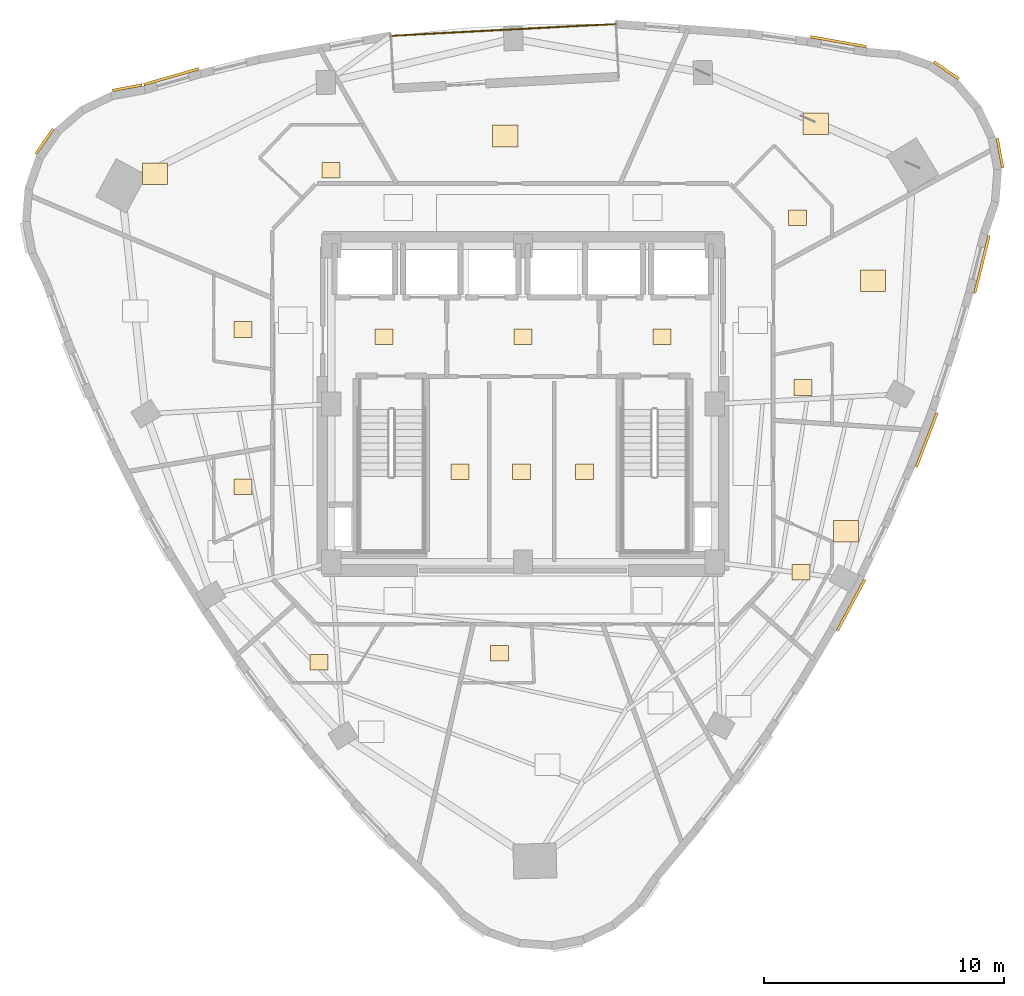
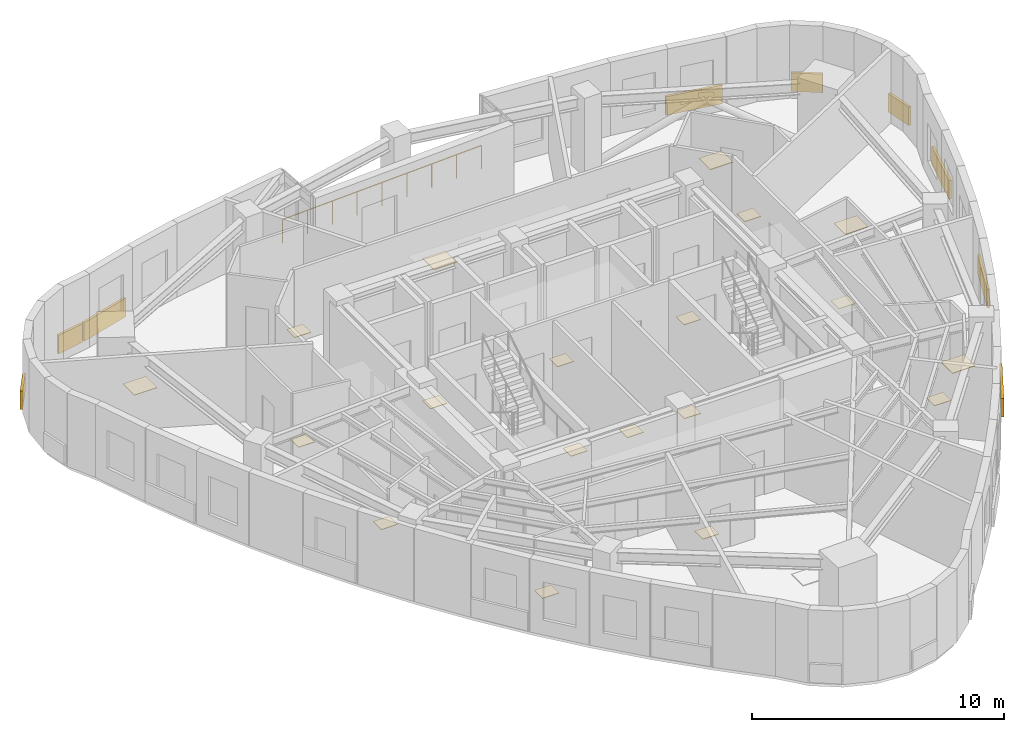
# One storey, part 12 of 12: 28 coverings, 1 railing.
"""IFC4 building model written with IfcOpenShell, lengths in metres."""

from ifc_helpers import new_model, si_unit, direction, frame, origin, origin_2d, place, context, subcontext, project, spatial, rectangle, circle, extrude, material, layer, layer_set, type_object, element, save


model = new_model("IFC4")

# Units and contexts
model_context = context("Model", 3, precision=1e-05, world=origin(), true_north=direction((0.0, 1.0)))
body_context = subcontext(model_context, "Body", "Model", "MODEL_VIEW")
ifc_project = project(units=[si_unit("LENGTHUNIT", "METRE"), si_unit("AREAUNIT", "SQUARE_METRE"), si_unit("VOLUMEUNIT", "CUBIC_METRE"), si_unit("PLANEANGLEUNIT", "RADIAN"), si_unit("MASSUNIT", "GRAM", prefix="KILO")], contexts=[model_context])

# Site, building, storey
site_placement = place(None, origin())
site = spatial("IfcSite", under=ifc_project, at=site_placement, CompositionType="ELEMENT")
building_placement = place(site_placement, origin())
building = spatial("IfcBuilding", under=site, at=building_placement, Name="Ndelora Gate Hotel", CompositionType="ELEMENT")
storey_placement = place(building_placement, frame((0.0, 0.0, 220.75)))
storey = spatial("IfcBuildingStorey", under=building, at=storey_placement, Name="L55", CompositionType="ELEMENT", Elevation=220.75)

# Coverings
ifc_material_1 = material(Name="Terracotta Fired Clay Brick Slip Cladding", Category="masonry")
ifc_layer_1 = layer(ifc_material_1, 0.110107421875)
ifc_layer_set_1 = layer_set([ifc_layer_1], Name="Terracotta Fired Clay Brick Slip Cladding")
covering_type_1 = type_object("IfcCoveringType", Name="COV-CLAD-BRK", PredefinedType="CLADDING", material=ifc_layer_set_1)
for number, where, z_axis, x_axis, name in (
    (1, (-16.508056640625, 13.1962890625, 0.10009765625), (0.0, 0.0, 1.0), (0.983254907564, 0.182235525492, 0.0), "L55 Rounded-Corner Brick Cladding Band 1"),
    (2, (-19.95751953125, 10.9560546875, 0.10009765625), (0.0, 0.0, 1.0), (0.566406236925, 0.824126188622, 0.0), "L55 Rounded-Corner Brick Cladding Band 4"),
):
    element("IfcCovering", number, at=place(storey_placement, frame(where, z_axis=z_axis, x_axis=x_axis)), inside=storey, type_object=covering_type_1, Name=name, PredefinedType="CLADDING", context=body_context, shape_type="SweptSolid", body=[
        extrude(rectangle(XDim=1.257080078125, YDim=0.110107421875, at=origin_2d()), origin(), (0.0, 0.0, 1.0), 0.89990234375),
    ])
covering_1_placement = place(storey_placement, frame((13.688720703125, -8.3916015625, 0.10009765625), z_axis=(0.0, 0.0, 1.0), x_axis=(0.472550764869, 0.881303452065, 0.0)))
element("IfcCovering", 3, at=covering_1_placement, inside=storey, type_object=covering_type_1, Name="L55 Rounded-Corner Brick Cladding Band 34", PredefinedType="CLADDING", context=body_context, shape_type="SweptSolid", body=[
    extrude(rectangle(XDim=2.416015625, YDim=0.110107421875, at=origin_2d()), origin(), (0.0, 0.0, 1.0), 0.89990234375),
])
covering_2_placement = place(storey_placement, frame((16.843994140625, -1.49853515625, 0.10009765625), z_axis=(0.0, 0.0, 1.0), x_axis=(0.358530884609, 0.933517865272, 0.0)))
element("IfcCovering", 4, at=covering_2_placement, inside=storey, type_object=covering_type_1, Name="L55 Rounded-Corner Brick Cladding Band 37", PredefinedType="CLADDING", context=body_context, shape_type="SweptSolid", body=[
    extrude(rectangle(XDim=2.428955078125, YDim=0.110107421875, at=origin_2d()), origin(), (0.0, 0.0, 1.0), 0.89990234375),
])
covering_3_placement = place(storey_placement, frame((19.1494140625, 5.825927734375, 0.10009765625), z_axis=(0.0, 0.0, 1.0), x_axis=(0.2419218956, 0.970295726276, 0.0)))
element("IfcCovering", 5, at=covering_3_placement, inside=storey, type_object=covering_type_1, Name="L55 Rounded-Corner Brick Cladding Band 40", PredefinedType="CLADDING", context=body_context, shape_type="SweptSolid", body=[
    extrude(rectangle(XDim=2.48193359375, YDim=0.110107421875, at=origin_2d()), origin(), (0.0, 0.0, 1.0), 0.89990234375),
])
covering_4_placement = place(storey_placement, frame((19.900634765625, 10.471435546875, 0.10009765625), z_axis=(0.0, 0.0, 1.0), x_axis=(-0.182235525492, 0.983254907564, 0.0)))
element("IfcCovering", 6, at=covering_4_placement, inside=storey, type_object=covering_type_1, Name="L55 Rounded-Corner Brick Cladding Band 43", PredefinedType="CLADDING", context=body_context, shape_type="SweptSolid", body=[
    extrude(rectangle(XDim=1.257080078125, YDim=0.110107421875, at=origin_2d()), origin(), (0.0, 0.0, 1.0), 0.89990234375),
])
covering_5_placement = place(storey_placement, frame((17.660400390625, 13.921142578125, 0.10009765625), z_axis=(0.0, 0.0, 1.0), x_axis=(-0.824126188622, 0.566406236925, 0.0)))
element("IfcCovering", 7, at=covering_5_placement, inside=storey, type_object=covering_type_1, Name="L55 Rounded-Corner Brick Cladding Band 46", PredefinedType="CLADDING", context=body_context, shape_type="SweptSolid", body=[
    extrude(rectangle(XDim=1.258056640625, YDim=0.110107421875, at=origin_2d()), origin(), (0.0, 0.0, 1.0), 0.89990234375),
])
for number, where, z_axis, x_axis, name in (
    (8, (13.162109375, 15.1162109375, 0.10009765625), (0.0, 0.0, 1.0), (-0.984686283733, 0.174335660806, 0.0), "L55 Rounded-Corner Brick Cladding Band 49"),
    (9, (-14.670166015625, 13.65771484375, 0.10009765625), (0.0, 0.0, 1.0), (0.961069030524, 0.276308375854, 0.0), "L55 Rounded-Corner Brick Cladding Band 58"),
):
    element("IfcCovering", number, at=place(storey_placement, frame(where, z_axis=z_axis, x_axis=x_axis)), inside=storey, type_object=covering_type_1, Name=name, PredefinedType="CLADDING", context=body_context, shape_type="SweptSolid", body=[
        extrude(rectangle(XDim=2.37890625, YDim=0.110107421875, at=origin_2d()), origin(), (0.0, 0.0, 1.0), 0.89990234375),
    ])
ifc_material_2 = material(Name="Engineered Highland Oak Parquet", Category="wood")
ifc_layer_2 = layer(ifc_material_2, 0.030029296875)
ifc_layer_set_2 = layer_set([ifc_layer_2], Name="Engineered Highland Oak Parquet")
covering_type_2 = type_object("IfcCoveringType", Name="COV-FLR-PARQ", PredefinedType="FLOORING", material=ifc_layer_set_2)
for number, where, z_axis, x_axis, name in (
    (10, (13.48388671875, -5.299560546875, 0.0), (0.0, 0.0, 1.0), (1.0, 0.0, 0.0), "L55 Altitude King Guest Room 5801 Oak Parquet Flooring"),
    (11, (14.600830078125, 5.13916015625, 0.0), (0.0, 0.0, 1.0), (1.0, 0.0, 0.0), "L55 Altitude Twin Guest Room 5802 Oak Parquet Flooring"),
    (12, (12.21728515625, 11.6943359375, 0.0), (0.0, 0.0, 1.0), (1.0, 0.0, 0.0), "L55 Corner Sky Suite 5803 Oak Parquet Flooring"),
    (13, (-0.73486328125, 11.182861328125, 0.0), (0.0, 0.0, 1.0), (1.0, 0.0, 0.0), "L55 Sky Garden Tea Dining Room Oak Parquet Flooring"),
    (14, (-15.350341796875, 9.610595703125, 0.0), (0.0, 0.0, 1.0), (1.0, 0.0, 0.0), "L55 South Diplomatic Suite 5804 Oak Parquet Flooring"),
):
    element("IfcCovering", number, at=place(storey_placement, frame(where, z_axis=z_axis, x_axis=x_axis)), inside=storey, type_object=covering_type_2, Name=name, PredefinedType="FLOORING", context=body_context, shape_type="SweptSolid", body=[
        extrude(rectangle(XDim=1.050048828125, YDim=0.89990234375, at=origin_2d()), origin(), (0.0, 0.0, 1.0), 0.030029296875),
    ])
ifc_material_3 = material(Name="Non-Slip Porcelain Wet-Room Tile", Category="ceramic")
ifc_layer_3 = layer(ifc_material_3, 0.02490234375)
ifc_layer_set_3 = layer_set([ifc_layer_3], Name="Non-Slip Porcelain Wet-Room Tile")
covering_type_3 = type_object("IfcCoveringType", Name="COV-FLR-TILE", PredefinedType="FLOORING", material=ifc_layer_set_3)
for number, where, z_axis, x_axis, name in (
    (15, (-5.800048828125, 2.800048828125, 0.0), (0.0, 0.0, 1.0), (1.0, 0.0, 0.0), "L55 Firefighting Lift Lobby West Porcelain Tile Flooring"),
    (16, (5.800048828125, 2.800048828125, 0.0), (0.0, 0.0, 1.0), (1.0, 0.0, 0.0), "L55 Firefighting Lift Lobby East Porcelain Tile Flooring"),
    (17, (0.0, 2.800048828125, 0.0), (0.0, 0.0, 1.0), (1.0, 0.0, 0.0), "L55 Central Passenger Lift Lobby Porcelain Tile Flooring"),
    (18, (-2.625, -2.824951171875, 0.0), (0.0, 0.0, 1.0), (1.0, 0.0, 0.0), "L55 Core Cleaners Store Porcelain Tile Flooring"),
    (19, (-0.050048828125, -2.824951171875, 0.0), (0.0, 0.0, 1.0), (1.0, 0.0, 0.0), "L55 Core Telecoms Equipment Room Porcelain Tile Flooring"),
    (20, (2.574951171875, -2.824951171875, 0.0), (0.0, 0.0, 1.0), (1.0, 0.0, 0.0), "L55 Core Electrical Metering Room Porcelain Tile Flooring"),
    (21, (11.603271484375, -7.01220703125, 0.0), (0.0, 0.0, 1.0), (1.0, 0.0, 0.0), "L55 En-suite Bathroom 5801 Porcelain Tile Flooring"),
    (22, (11.675048828125, 0.689208984375, 0.0), (0.0, 0.0, 1.0), (1.0, 0.0, 0.0), "L55 En-suite Bathroom 5802 Porcelain Tile Flooring"),
    (23, (11.4462890625, 7.776123046875, 0.0), (0.0, 0.0, 1.0), (1.0, 0.0, 0.0), "L55 En-suite Bathroom 5803 Porcelain Tile Flooring"),
    (24, (-8.00634765625, 9.75390625, 0.0), (0.0, 0.0, 1.0), (1.0, 0.0, 0.0), "L55 En-suite Bathroom 5804 Porcelain Tile Flooring"),
    (25, (-11.675048828125, 3.110595703125, 0.0), (0.0, 0.0, 1.0), (1.0, 0.0, 0.0), "L55 En-suite Bathroom 5805 Porcelain Tile Flooring"),
    (26, (-11.675048828125, -3.45654296875, 0.0), (0.0, 0.0, 1.0), (1.0, 0.0, 0.0), "L55 En-suite Bathroom 5806 Porcelain Tile Flooring"),
    (27, (-8.50390625, -10.768310546875, 0.0), (0.0, 0.0, 1.0), (1.0, 0.0, 0.0), "L55 En-suite Bathroom 5807 Porcelain Tile Flooring"),
    (28, (-0.9677734375, -10.405029296875, 0.0), (0.0, 0.0, 1.0), (1.0, 0.0, 0.0), "L55 En-suite Bathroom 5808 Porcelain Tile Flooring"),
):
    element("IfcCovering", number, at=place(storey_placement, frame(where, z_axis=z_axis, x_axis=x_axis)), inside=storey, type_object=covering_type_3, Name=name, PredefinedType="FLOORING", context=body_context, shape_type="SweptSolid", body=[
        extrude(rectangle(XDim=0.75, YDim=0.64990234375, at=origin_2d()), origin(), (0.0, 0.0, 1.0), 0.02490234375),
    ])

# Railing
ifc_material_4 = material(Name="Laminated Safety Glass and Bronze Top Rail", Category="glass")
ifc_layer_4 = layer(ifc_material_4, 0.070068359375)
ifc_layer_set_4 = layer_set([ifc_layer_4], Name="Laminated Safety Glass and Bronze Top Rail")
railing_type = type_object("IfcRailingType", Name="RL-BAL-1150", PredefinedType="BALUSTRADE", material=ifc_layer_set_4)
railing_placement = place(storey_placement, frame((3.87548828125, 15.8544921875, 0.0)))
element("IfcRailing", 29, at=railing_placement, inside=storey, type_object=railing_type, Name="L55 Sky-Garden Loggia Terrace Balustrade", PredefinedType="BALUSTRADE", context=body_context, shape_type="SweptSolid", body=[
    extrude(circle(Radius=0.02392578125, at=origin_2d()), frame((0.0, 0.0, 1.1357421875), z_axis=(-0.998629642142, -0.052333907124, 0.0), x_axis=(0.052333907124, -0.998629642142, 0.0)), (0.0, 0.0, 1.0), 9.400146484375),
    extrude(circle(Radius=0.02099609375, at=origin_2d()), origin(), (0.0, 0.0, 1.0), 1.11181640625),
    extrude(circle(Radius=0.02099609375, at=origin_2d()), frame((-1.17333984375, -0.0615234375, 0.0)), (0.0, 0.0, 1.0), 1.11181640625),
    extrude(circle(Radius=0.02099609375, at=origin_2d()), frame((-2.3466796875, -0.123046875, 0.0)), (0.0, 0.0, 1.0), 1.11181640625),
    extrude(circle(Radius=0.02099609375, at=origin_2d()), frame((-3.520263671875, -0.1845703125, 0.0)), (0.0, 0.0, 1.0), 1.11181640625),
    extrude(circle(Radius=0.02099609375, at=origin_2d()), frame((-4.693603515625, -0.24609375, 0.0)), (0.0, 0.0, 1.0), 1.11181640625),
    extrude(circle(Radius=0.02099609375, at=origin_2d()), frame((-5.866943359375, -0.307373046875, 0.0)), (0.0, 0.0, 1.0), 1.11181640625),
    extrude(circle(Radius=0.02099609375, at=origin_2d()), frame((-7.04052734375, -0.368896484375, 0.0)), (0.0, 0.0, 1.0), 1.11181640625),
    extrude(circle(Radius=0.02099609375, at=origin_2d()), frame((-8.2138671875, -0.430419921875, 0.0)), (0.0, 0.0, 1.0), 1.11181640625),
    extrude(circle(Radius=0.02099609375, at=origin_2d()), frame((-9.38720703125, -0.491943359375, 0.0)), (0.0, 0.0, 1.0), 1.11181640625),
])

save(model, "model.ifc")
